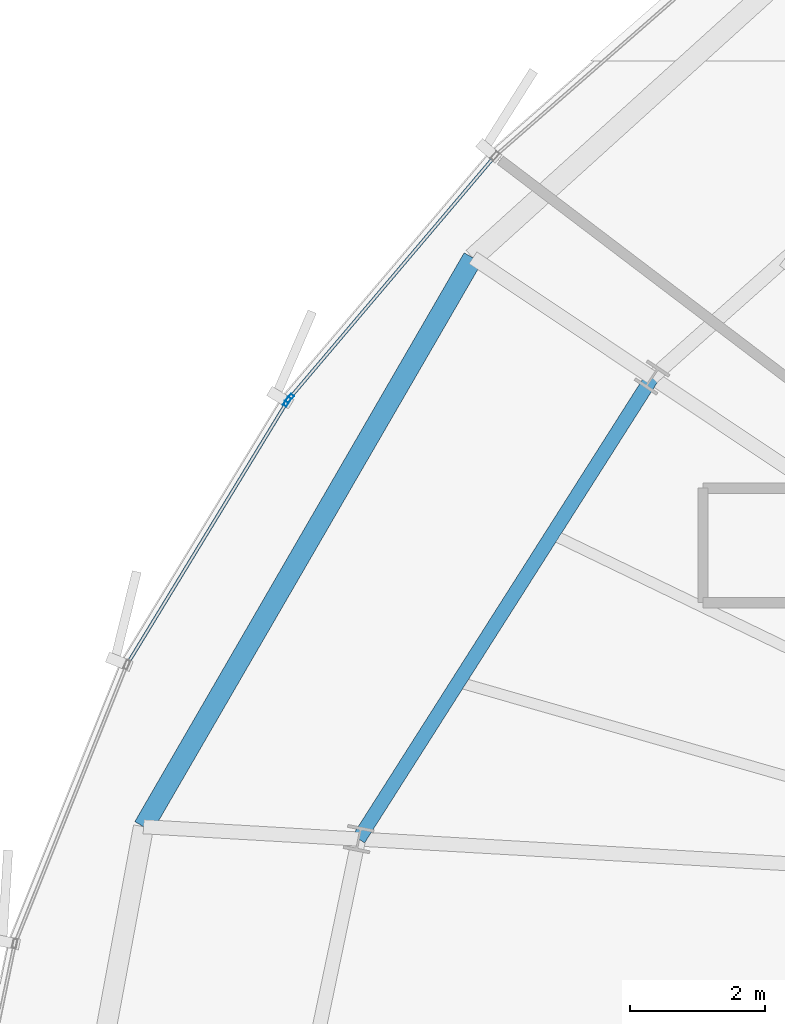
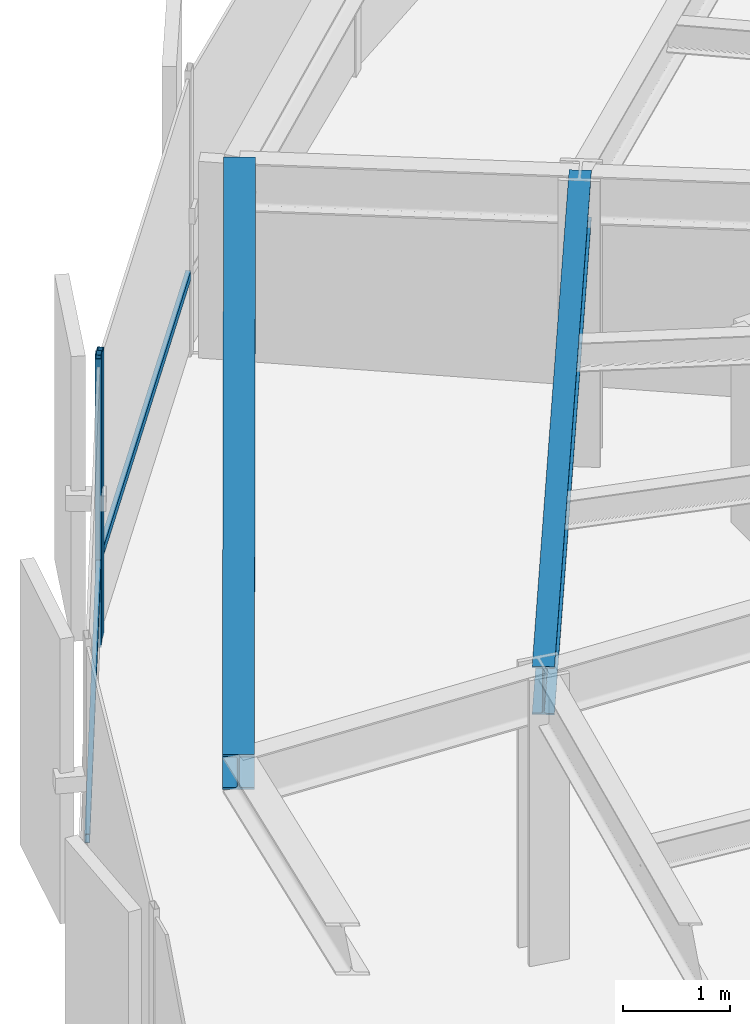
# One storey, part 17 of 36: 4 members, 2 beams, 2 elements without a shape of their own.
"""IFC4 building model written with IfcOpenShell, lengths in metres."""

from ifc_helpers import new_model, si_unit, direction, frame, origin, origin_2d, place, context, subcontext, project, spatial, hollow_rectangle, i_section, extrude, source, transform, mapped, material, layer, layer_set, material_profile, profile_set, type_object, element, aggregate, save


model = new_model("IFC4")

# Units and contexts
model_context = context("Model", 3, precision=1e-05, world=origin(), true_north=direction((0.0, 1.0)))
body_context = subcontext(model_context, "Body", "Model", "MODEL_VIEW")
ifc_project = project(units=[si_unit("LENGTHUNIT", "METRE"), si_unit("AREAUNIT", "SQUARE_METRE"), si_unit("VOLUMEUNIT", "CUBIC_METRE"), si_unit("PLANEANGLEUNIT", "RADIAN"), si_unit("MASSUNIT", "GRAM", prefix="KILO"), si_unit("THERMODYNAMICTEMPERATUREUNIT", "KELVIN")], contexts=[model_context])

# Site, building, storey
site_placement = place(None, origin())
site = spatial("IfcSite", under=ifc_project, at=site_placement, CompositionType="ELEMENT")
building_placement = place(site_placement, origin())
building = spatial("IfcBuilding", under=site, at=building_placement, Name="Kethvar Cultural Tower", CompositionType="ELEMENT")
storey_placement = place(building_placement, frame((0.0, 0.0, 150.10009765625)))
storey = spatial("IfcBuildingStorey", under=building, at=storey_placement, Name="L38", CompositionType="ELEMENT", Elevation=150.10009765625)

# Beams
ifc_material_1 = material(Name="Steel S355J2", Category="steel")
ifc_material_profile_1 = material_profile(ifc_material_1, i_section(OverallWidth=0.2099609375, OverallDepth=0.550048828125, WebThickness=0.010986328125, FlangeThickness=0.01708984375, FilletRadius=0.02392578125, at=origin_2d()), Name="Steel S355J2 — IPE550")
ifc_profile_set_1 = profile_set([ifc_material_profile_1], Name="Steel S355J2 — IPE550")
beam_type_1 = type_object("IfcBeamType", Name="BM-IPE550", PredefinedType="BEAM", material=ifc_profile_set_1)
shared_shape_1 = source(origin(), body_context, "Body", "SweptSolid", [
    extrude(i_section(OverallWidth=0.2099609375, OverallDepth=0.550048828125, WebThickness=0.010986328125, FlangeThickness=0.01708984375, FilletRadius=0.02392578125, at=origin_2d()), origin(), (0.0, 0.0, 1.0), 8.122314453125),
])
beam_1_placement = place(storey_placement, frame((30.345947265625, 38.794189453125, 3.02294921875), z_axis=(-0.536478664647, -0.843913883272, 0.0), x_axis=(0.843913883272, -0.536478664647, 0.0)))
element("IfcBeam", 1, at=beam_1_placement, inside=storey, type_object=beam_type_1, Name="L38 Column Ring Tie Beam CR-07", PredefinedType="BEAM", context=body_context, shape_type="MappedRepresentation", body=[
    mapped(shared_shape_1, transform((0.0, 0.0, 0.0), scale=1.0)),
])
ifc_material_profile_2 = material_profile(ifc_material_1, i_section(OverallWidth=0.300048828125, OverallDepth=0.39990234375, WebThickness=0.013427734375, FlangeThickness=0.02392578125, FilletRadius=0.027099609375, at=origin_2d()), Name="Steel S355J2 — HEB400")
ifc_profile_set_2 = profile_set([ifc_material_profile_2], Name="Steel S355J2 — HEB400")
beam_type_2 = type_object("IfcBeamType", Name="BM-SP400", PredefinedType="SPANDREL", material=ifc_profile_set_2)
shared_shape_2 = source(origin(), body_context, "Body", "SweptSolid", [
    extrude(i_section(OverallWidth=0.300048828125, OverallDepth=0.39990234375, WebThickness=0.013427734375, FlangeThickness=0.02392578125, FilletRadius=0.027099609375, at=origin_2d()), origin(), (0.0, 0.0, 1.0), 9.762939453125),
])
beam_2_placement = place(storey_placement, frame((27.685302734375, 40.572021484375, 3.097900390625), z_axis=(-0.501043170838, -0.865422290536, 0.0), x_axis=(0.865422290536, -0.501043170838, 0.0)))
element("IfcBeam", 2, at=beam_2_placement, inside=storey, type_object=beam_type_2, Name="L38 Perimeter Spandrel Beam SP-07", PredefinedType="SPANDREL", context=body_context, shape_type="MappedRepresentation", body=[
    mapped(shared_shape_2, transform((0.0, 0.0, 0.0), scale=1.0)),
])

# Curtain wall, member
ifc_material_2 = material(Name="Aluminium 6063-T6", Category="aluminium")
ifc_layer = layer(ifc_material_2, 0.179931640625, Name="Aluminium 6063-T6", Category="aluminium")
ifc_layer_set = layer_set([ifc_layer], Name="Aluminium 6063-T6 (180 mm)")
curtain_wall_type = type_object("IfcCurtainWallType", Name="CW-SYS-04-Z34", PredefinedType="NOTDEFINED", material=ifc_layer_set)
curtain_wall_1_placement = place(storey_placement, origin())
curtain_wall_1 = element("IfcCurtainWall", 3, at=curtain_wall_1_placement, inside=storey, type_object=curtain_wall_type, Name="L38 Curtain Wall Run 02", PredefinedType="NOTDEFINED")
ifc_material_profile_3 = material_profile(ifc_material_2, hollow_rectangle(XDim=0.06005859375, YDim=0.139892578125, WallThickness=0.0048828125, at=origin_2d()), Name="Aluminium 6063-T6 — RHS140x60x5")
ifc_profile_set_3 = profile_set([ifc_material_profile_3], Name="Aluminium 6063-T6 — RHS140x60x5")
member_type_1 = type_object("IfcMemberType", Name="CW-SYS-04-Z34-MUL", PredefinedType="MULLION", material=ifc_profile_set_3)
shared_shape_3 = source(origin(), body_context, "Body", "SweptSolid", [
    extrude(hollow_rectangle(XDim=0.06005859375, YDim=0.139892578125, WallThickness=0.0048828125, at=origin_2d()), origin(), (0.0, 0.0, 1.0), 3.2998046875),
])
member_1_placement = place(storey_placement, frame((24.96142578125, 38.48388671875, 0.0), z_axis=(0.0, 0.0, 1.0), x_axis=(0.762894055451, -0.646523518642, 0.0)))
member_1 = element("IfcMember", 4, at=member_1_placement, type_object=member_type_1, Name="CW-L38-R02 Mullion 7", PredefinedType="MULLION", context=body_context, shape_type="MappedRepresentation", body=[
    mapped(shared_shape_3, transform((0.0, 0.0, 0.0), scale=1.0)),
])

curtain_wall_2_placement = place(storey_placement, origin())
curtain_wall_2 = element("IfcCurtainWall", 5, at=curtain_wall_2_placement, inside=storey, type_object=curtain_wall_type, Name="L38 Curtain Wall Run 03", PredefinedType="NOTDEFINED")
member_2_placement = place(storey_placement, frame((24.926025390625, 38.434814453125, 0.0), z_axis=(0.0, 0.0, 1.0), x_axis=(0.854068694819, -0.520160229669, 0.0)))
member_2 = element("IfcMember", 6, at=member_2_placement, type_object=member_type_1, Name="CW-L38-R03 Mullion 1", PredefinedType="MULLION", context=body_context, shape_type="MappedRepresentation", body=[
    mapped(shared_shape_3, transform((0.0, 0.0, 0.0), scale=1.0)),
])

# Member
ifc_material_profile_4 = material_profile(ifc_material_2, hollow_rectangle(XDim=0.050048828125, YDim=0.10009765625, WallThickness=0.00390625, at=origin_2d()), Name="Aluminium 6063-T6 — RHS100x50x4")
ifc_profile_set_4 = profile_set([ifc_material_profile_4], Name="Aluminium 6063-T6 — RHS100x50x4")
member_type_2 = type_object("IfcMemberType", Name="CW-SYS-04-Z34-TRN", PredefinedType="USERDEFINED", material=ifc_profile_set_4)
shared_shape_4 = source(origin(), body_context, "Body", "SweptSolid", [
    extrude(hollow_rectangle(XDim=0.050048828125, YDim=0.10009765625, WallThickness=0.00390625, at=origin_2d()), origin(), (0.0, 0.0, 1.0), 4.671875),
])
member_3_placement = place(storey_placement, frame((27.984619140625, 42.051025390625, 0.949951171875), z_axis=(-0.646546439594, -0.762874630229, 0.0), x_axis=(0.762874630229, -0.646546439594, 0.0)))
member_3 = element("IfcMember", 7, at=member_3_placement, type_object=member_type_2, Name="CW-L38-R02 Transom 6", ObjectType="TRANSOM", PredefinedType="USERDEFINED", context=body_context, shape_type="MappedRepresentation", body=[
    mapped(shared_shape_4, transform((0.0, 0.0, 0.0), scale=1.0)),
])

aggregate(curtain_wall_1, [member_1, member_3])

shared_shape_5 = source(origin(), body_context, "Body", "SweptSolid", [
    extrude(hollow_rectangle(XDim=0.050048828125, YDim=0.10009765625, WallThickness=0.00390625, at=origin_2d()), origin(), (0.0, 0.0, 1.0), 4.545166015625),
])
member_4_placement = place(storey_placement, frame((24.923828125, 38.43115234375, 0.949951171875), z_axis=(-0.520171863247, -0.854061609421, 0.0), x_axis=(0.854061609421, -0.520171863247, 0.0)))
member_4 = element("IfcMember", 8, at=member_4_placement, type_object=member_type_2, Name="CW-L38-R03 Transom 1", ObjectType="TRANSOM", PredefinedType="USERDEFINED", context=body_context, shape_type="MappedRepresentation", body=[
    mapped(shared_shape_5, transform((0.0, 0.0, 0.0), scale=1.0)),
])

aggregate(curtain_wall_2, [member_2, member_4])

save(model, "model.ifc")
